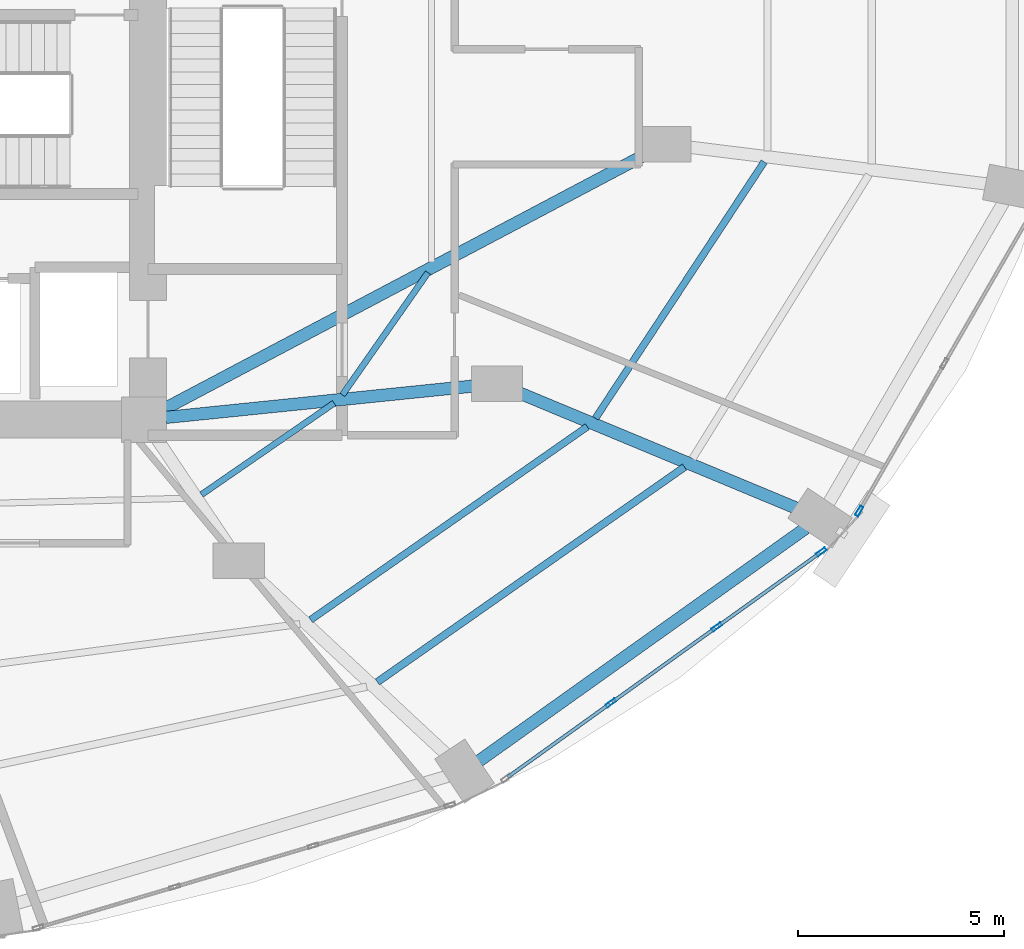
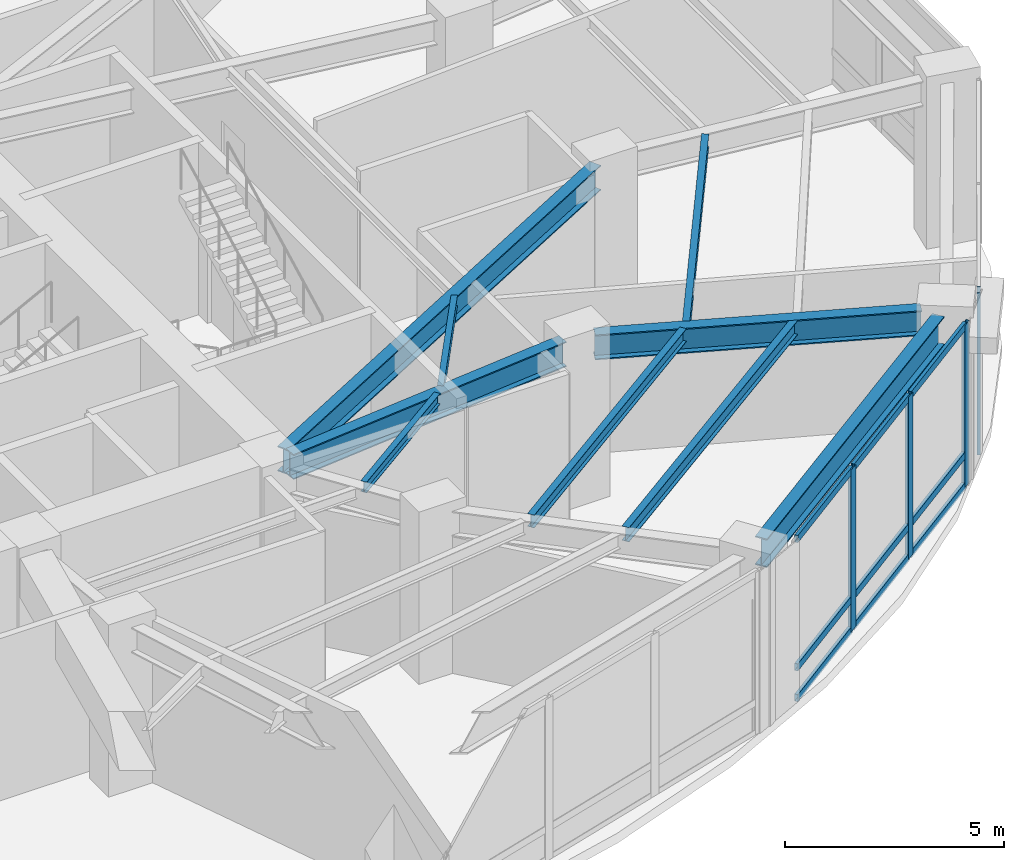
# One storey, part 11 of 24: 13 members, 9 beams, 2 elements without a shape of their own.
"""IFC4 building model written with IfcOpenShell, lengths in metres."""

from ifc_helpers import new_model, si_unit, direction, frame, origin, origin_2d, place, context, subcontext, project, spatial, hollow_rectangle, i_section, extrude, material, layer, layer_set, material_profile, profile_set, type_object, element, aggregate, save


model = new_model("IFC4")

# Units and contexts
model_context = context("Model", 3, precision=1e-05, world=origin(), true_north=direction((0.0, 1.0)))
body_context = subcontext(model_context, "Body", "Model", "MODEL_VIEW")
ifc_project = project(units=[si_unit("LENGTHUNIT", "METRE"), si_unit("AREAUNIT", "SQUARE_METRE"), si_unit("VOLUMEUNIT", "CUBIC_METRE"), si_unit("PLANEANGLEUNIT", "RADIAN"), si_unit("MASSUNIT", "GRAM", prefix="KILO")], contexts=[model_context])

# Site, building, storey
site_placement = place(None, origin())
site = spatial("IfcSite", under=ifc_project, at=site_placement, CompositionType="ELEMENT")
building_placement = place(site_placement, origin())
building = spatial("IfcBuilding", under=site, at=building_placement, Name="Lazwardi Medical Tower", CompositionType="ELEMENT")
storey_placement = place(building_placement, frame((0.0, 0.0, 15.60009765625)))
storey = spatial("IfcBuildingStorey", under=building, at=storey_placement, Name="L03", CompositionType="ELEMENT", Elevation=15.60009765625)

# Beams
ifc_material_1 = material(Name="Steel S355", Category="steel")
ifc_material_profile_1 = material_profile(ifc_material_1, i_section(OverallWidth=0.300048828125, OverallDepth=0.800048828125, WebThickness=0.017578125, FlangeThickness=0.032958984375, at=origin_2d()), Name="HEB 800")
ifc_profile_set_1 = profile_set([ifc_material_profile_1], Name="Steel S355")
beam_type_1 = type_object("IfcBeamType", Name="BM-RB-P1", PredefinedType="BEAM", material=ifc_profile_set_1)
beam_1_placement = place(storey_placement, frame((53.739501953125, 12.107666015625, 4.119873046875), z_axis=(0.814437186887, 0.580251728663, 0.0), x_axis=(-0.580251728663, 0.814437186887, 0.0)))
element("IfcBeam", 1, at=beam_1_placement, inside=storey, type_object=beam_type_1, Name="Ring beam RB-01 B02 L03", PredefinedType="BEAM", context=body_context, shape_type="SweptSolid", body=[
    extrude(i_section(OverallWidth=0.300048828125, OverallDepth=0.800048828125, WebThickness=0.017578125, FlangeThickness=0.032958984375, at=origin_2d()), origin(), (0.0, 0.0, 1.0), 9.743408203125),
])
ifc_material_profile_2 = material_profile(ifc_material_1, i_section(OverallWidth=0.300048828125, OverallDepth=0.699951171875, WebThickness=0.01708984375, FlangeThickness=0.031982421875, at=origin_2d()), Name="HEB 700")
ifc_profile_set_2 = profile_set([ifc_material_profile_2], Name="Steel S355")
beam_type_2 = type_object("IfcBeamType", Name="BM-RG-P1", PredefinedType="BEAM", material=ifc_profile_set_2)
beam_2_placement = place(storey_placement, frame((61.489501953125, 18.233642578125, 4.169921875), z_axis=(-0.923279462658, 0.38412892866, 0.0), x_axis=(-0.38412892866, -0.923279462658, 0.0)))
element("IfcBeam", 2, at=beam_2_placement, inside=storey, type_object=beam_type_2, Name="Radial girder RG-01 R03A L03", PredefinedType="BEAM", context=body_context, shape_type="SweptSolid", body=[
    extrude(i_section(OverallWidth=0.300048828125, OverallDepth=0.699951171875, WebThickness=0.01708984375, FlangeThickness=0.031982421875, at=origin_2d()), origin(), (0.0, 0.0, 1.0), 7.52001953125),
])
beam_3_placement = place(storey_placement, frame((53.779052734375, 21.2353515625, 4.169921875), z_axis=(-0.994824908551, -0.101604140299, 0.0), x_axis=(0.101604140299, -0.994824908551, 0.0)))
element("IfcBeam", 3, at=beam_3_placement, inside=storey, type_object=beam_type_2, Name="Radial girder RG-01 R03B L03", PredefinedType="BEAM", context=body_context, shape_type="SweptSolid", body=[
    extrude(i_section(OverallWidth=0.300048828125, OverallDepth=0.699951171875, WebThickness=0.01708984375, FlangeThickness=0.031982421875, at=origin_2d()), origin(), (0.0, 0.0, 1.0), 7.686767578125),
])
beam_4_placement = place(storey_placement, frame((57.909423828125, 26.906982421875, 4.169921875), z_axis=(-0.884073844977, -0.467347233466, 0.0), x_axis=(0.467347233466, -0.884073844977, 0.0)))
element("IfcBeam", 4, at=beam_4_placement, inside=storey, type_object=beam_type_2, Name="Radial girder RG-01 R04B L03", PredefinedType="BEAM", context=body_context, shape_type="SweptSolid", body=[
    extrude(i_section(OverallWidth=0.300048828125, OverallDepth=0.699951171875, WebThickness=0.01708984375, FlangeThickness=0.031982421875, at=origin_2d()), origin(), (0.0, 0.0, 1.0), 13.388427734375),
])
ifc_material_profile_3 = material_profile(ifc_material_1, i_section(OverallWidth=0.179931640625, OverallDepth=0.39990234375, WebThickness=0.008544921875, FlangeThickness=0.013427734375, at=origin_2d()), Name="IPE 400")
ifc_profile_set_3 = profile_set([ifc_material_profile_3], Name="Steel S355")
beam_type_3 = type_object("IfcBeamType", Name="BM-SJ-01", PredefinedType="JOIST", material=ifc_profile_set_3)
beam_5_placement = place(storey_placement, frame((51.27099609375, 14.025634765625, 4.31982421875), z_axis=(0.819249551022, 0.573437157106, 0.0), x_axis=(-0.573437157106, 0.819249551022, 0.0)))
element("IfcBeam", 5, at=beam_5_placement, inside=storey, type_object=beam_type_3, Name="Secondary joist SJ-01 RO1 B02 L03", PredefinedType="JOIST", context=body_context, shape_type="SweptSolid", body=[
    extrude(i_section(OverallWidth=0.179931640625, OverallDepth=0.39990234375, WebThickness=0.008544921875, FlangeThickness=0.013427734375, at=origin_2d()), origin(), (0.0, 0.0, 1.0), 9.107666015625),
])
ifc_material_profile_4 = material_profile(ifc_material_1, i_section(OverallWidth=0.169921875, OverallDepth=0.360107421875, WebThickness=0.008056640625, FlangeThickness=0.0126953125, at=origin_2d()), Name="IPE 360")
ifc_profile_set_4 = profile_set([ifc_material_profile_4], Name="Steel S355")
beam_type_4 = type_object("IfcBeamType", Name="BM-SJ-02", PredefinedType="JOIST", material=ifc_profile_set_4)
beam_6_placement = place(storey_placement, frame((49.6494140625, 15.536865234375, 4.33984375), z_axis=(0.819914041095, 0.572486650688, 0.0), x_axis=(-0.572486650688, 0.819914041095, 0.0)))
element("IfcBeam", 6, at=beam_6_placement, inside=storey, type_object=beam_type_4, Name="Secondary joist SJ-02 RO2 B02 L03", PredefinedType="JOIST", context=body_context, shape_type="SweptSolid", body=[
    extrude(i_section(OverallWidth=0.169921875, OverallDepth=0.360107421875, WebThickness=0.008056640625, FlangeThickness=0.0126953125, at=origin_2d()), origin(), (0.0, 0.0, 1.0), 8.19873046875),
])
beam_7_placement = place(storey_placement, frame((56.570068359375, 20.4345703125, 4.33984375), z_axis=(0.549697059584, 0.835364077924, 0.0), x_axis=(-0.835364077924, 0.549697059584, 0.0)))
element("IfcBeam", 7, at=beam_7_placement, inside=storey, type_object=beam_type_4, Name="Secondary joist SJ-02 RO2 B03 L03", PredefinedType="JOIST", context=body_context, shape_type="SweptSolid", body=[
    extrude(i_section(OverallWidth=0.169921875, OverallDepth=0.360107421875, WebThickness=0.008056640625, FlangeThickness=0.0126953125, at=origin_2d()), origin(), (0.0, 0.0, 1.0), 7.45849609375),
])
ifc_material_profile_5 = material_profile(ifc_material_1, i_section(OverallWidth=0.14990234375, OverallDepth=0.300048828125, WebThickness=0.007080078125, FlangeThickness=0.0107421875, at=origin_2d()), Name="IPE 300")
ifc_profile_set_5 = profile_set([ifc_material_profile_5], Name="Steel S355")
beam_type_5 = type_object("IfcBeamType", Name="BM-SJ-03", PredefinedType="JOIST", material=ifc_profile_set_5)
beam_8_placement = place(storey_placement, frame((46.9970703125, 18.5791015625, 4.369873046875), z_axis=(0.823125311201, 0.567859773237, 0.0), x_axis=(-0.567859773237, 0.823125311201, 0.0)))
element("IfcBeam", 8, at=beam_8_placement, inside=storey, type_object=beam_type_5, Name="Secondary joist SJ-03 RI1 B02 L03", PredefinedType="JOIST", context=body_context, shape_type="SweptSolid", body=[
    extrude(i_section(OverallWidth=0.14990234375, OverallDepth=0.300048828125, WebThickness=0.007080078125, FlangeThickness=0.0107421875, at=origin_2d()), origin(), (0.0, 0.0, 1.0), 3.91357421875),
])
beam_9_placement = place(storey_placement, frame((50.421142578125, 21.002685546875, 4.369873046875), z_axis=(0.573439745267, 0.819247739422, 0.0), x_axis=(-0.819247739422, 0.573439745267, 0.0)))
element("IfcBeam", 9, at=beam_9_placement, inside=storey, type_object=beam_type_5, Name="Secondary joist SJ-03 RI1 B03 L03", PredefinedType="JOIST", context=body_context, shape_type="SweptSolid", body=[
    extrude(i_section(OverallWidth=0.14990234375, OverallDepth=0.300048828125, WebThickness=0.007080078125, FlangeThickness=0.0107421875, at=origin_2d()), origin(), (0.0, 0.0, 1.0), 3.625244140625),
])

# Curtain wall, members
ifc_material_2 = material(Name="Anodised bronze aluminium and solar control glazing", Category="aluminium")
ifc_layer = layer(ifc_material_2, 0.219970703125)
ifc_layer_set = layer_set([ifc_layer], Name="Anodised bronze aluminium and solar control glazing")
curtain_wall_type = type_object("IfcCurtainWallType", Name="CW-SYS-01", PredefinedType="NOTDEFINED", material=ifc_layer_set)
curtain_wall_1_placement = place(storey_placement, origin())
curtain_wall_1 = element("IfcCurtainWall", 10, at=curtain_wall_1_placement, inside=storey, type_object=curtain_wall_type, Name="L03 Unitised bronze curtain wall CW-01", PredefinedType="NOTDEFINED")
ifc_material_3 = material(Name="Anodised bronze aluminium", Category="aluminium")
ifc_material_profile_6 = material_profile(ifc_material_3, hollow_rectangle(XDim=0.0849609375, YDim=0.260009765625, WallThickness=0.0048828125, at=origin_2d()), Name="ALU-MULLION 260x85x5")
ifc_profile_set_6 = profile_set([ifc_material_profile_6], Name="Anodised bronze aluminium")
member_type_1 = type_object("IfcMemberType", Name="CW-MUL-02", PredefinedType="MULLION", material=ifc_profile_set_6)
member_1_placement = place(storey_placement, frame((56.944580078125, 13.51513671875, 0.0), z_axis=(0.0, 0.0, 1.0), x_axis=(-0.583214260584, 0.812318365083, 0.0)))
member_1 = element("IfcMember", 11, at=member_1_placement, type_object=member_type_1, Name="CW-01 mullion 2", PredefinedType="MULLION", context=body_context, shape_type="SweptSolid", body=[
    extrude(hollow_rectangle(XDim=0.0849609375, YDim=0.260009765625, WallThickness=0.0048828125, at=origin_2d()), origin(), (0.0, 0.0, 1.0), 4.52001953125),
])
member_2_placement = place(storey_placement, frame((59.517822265625, 15.36279296875, 0.0), z_axis=(0.0, 0.0, 1.0), x_axis=(-0.583214260584, 0.812318365083, 0.0)))
member_2 = element("IfcMember", 12, at=member_2_placement, type_object=member_type_1, Name="CW-01 mullion 3", PredefinedType="MULLION", context=body_context, shape_type="SweptSolid", body=[
    extrude(hollow_rectangle(XDim=0.0849609375, YDim=0.260009765625, WallThickness=0.0048828125, at=origin_2d()), origin(), (0.0, 0.0, 1.0), 4.52001953125),
])
member_3_placement = place(storey_placement, frame((62.056640625, 17.185546875, 0.0), z_axis=(0.0, 0.0, 1.0), x_axis=(-0.583214260584, 0.812318365083, 0.0)))
member_3 = element("IfcMember", 13, at=member_3_placement, type_object=member_type_1, Name="CW-01 mullion 4", PredefinedType="MULLION", context=body_context, shape_type="SweptSolid", body=[
    extrude(hollow_rectangle(XDim=0.0849609375, YDim=0.260009765625, WallThickness=0.0048828125, at=origin_2d()), origin(), (0.0, 0.0, 1.0), 4.52001953125),
])

# Curtain wall, member
curtain_wall_2_placement = place(storey_placement, origin())
curtain_wall_2 = element("IfcCurtainWall", 14, at=curtain_wall_2_placement, inside=storey, type_object=curtain_wall_type, Name="L03 Unitised bronze curtain wall CW-01", PredefinedType="NOTDEFINED")
member_4_placement = place(storey_placement, frame((62.978759765625, 18.177978515625, 0.0), z_axis=(0.0, 0.0, 1.0), x_axis=(-0.866180607783, 0.499731082384, 0.0)))
member_4 = element("IfcMember", 15, at=member_4_placement, type_object=member_type_1, Name="CW-01 mullion 1", PredefinedType="MULLION", context=body_context, shape_type="SweptSolid", body=[
    extrude(hollow_rectangle(XDim=0.0849609375, YDim=0.260009765625, WallThickness=0.0048828125, at=origin_2d()), origin(), (0.0, 0.0, 1.0), 4.52001953125),
])
aggregate(curtain_wall_2, [member_4])

# Member
ifc_material_profile_7 = material_profile(ifc_material_3, hollow_rectangle(XDim=0.0849609375, YDim=0.199951171875, WallThickness=0.00439453125, at=origin_2d()), Name="ALU-TRANSOM 200x85x4.5")
ifc_profile_set_7 = profile_set([ifc_material_profile_7], Name="Anodised bronze aluminium")
member_type_2 = type_object("IfcMemberType", Name="CW-TRN-02", PredefinedType="USERDEFINED", material=ifc_profile_set_7)
member_5_placement = place(storey_placement, frame((54.440185546875, 11.71728515625, 0.04248046875), z_axis=(0.812314954496, 0.583219010924, 0.0), x_axis=(-0.583219010924, 0.812314954496, 0.0)))
member_5 = element("IfcMember", 16, at=member_5_placement, type_object=member_type_2, Name="CW-01 transom 1.1", ObjectType="TRANSOM", PredefinedType="USERDEFINED", context=body_context, shape_type="SweptSolid", body=[
    extrude(hollow_rectangle(XDim=0.0849609375, YDim=0.199951171875, WallThickness=0.00439453125, at=origin_2d()), origin(), (0.0, 0.0, 1.0), 3.040283203125),
])

member_6_placement = place(storey_placement, frame((54.440185546875, 11.71728515625, 0.89990234375), z_axis=(0.812314954496, 0.583219010924, 0.0), x_axis=(-0.583219010924, 0.812314954496, 0.0)))
member_6 = element("IfcMember", 17, at=member_6_placement, type_object=member_type_2, Name="CW-01 transom 1.2", ObjectType="TRANSOM", PredefinedType="USERDEFINED", context=body_context, shape_type="SweptSolid", body=[
    extrude(hollow_rectangle(XDim=0.0849609375, YDim=0.199951171875, WallThickness=0.00439453125, at=origin_2d()), origin(), (0.0, 0.0, 1.0), 3.040283203125),
])

member_7_placement = place(storey_placement, frame((54.440185546875, 11.71728515625, 4.477294921875), z_axis=(0.812314954496, 0.583219010924, 0.0), x_axis=(-0.583219010924, 0.812314954496, 0.0)))
member_7 = element("IfcMember", 18, at=member_7_placement, type_object=member_type_2, Name="CW-01 transom 1.3", ObjectType="TRANSOM", PredefinedType="USERDEFINED", context=body_context, shape_type="SweptSolid", body=[
    extrude(hollow_rectangle(XDim=0.0849609375, YDim=0.199951171875, WallThickness=0.00439453125, at=origin_2d()), origin(), (0.0, 0.0, 1.0), 3.040283203125),
])

member_8_placement = place(storey_placement, frame((56.97900390625, 13.5400390625, 0.04248046875), z_axis=(0.812350668283, 0.583169265085, 0.0), x_axis=(-0.583169265085, 0.812350668283, 0.0)))
member_8 = element("IfcMember", 19, at=member_8_placement, type_object=member_type_2, Name="CW-01 transom 2.1", ObjectType="TRANSOM", PredefinedType="USERDEFINED", context=body_context, shape_type="SweptSolid", body=[
    extrude(hollow_rectangle(XDim=0.0849609375, YDim=0.199951171875, WallThickness=0.00439453125, at=origin_2d()), origin(), (0.0, 0.0, 1.0), 3.0830078125),
])

member_9_placement = place(storey_placement, frame((56.97900390625, 13.5400390625, 0.89990234375), z_axis=(0.812350668283, 0.583169265085, 0.0), x_axis=(-0.583169265085, 0.812350668283, 0.0)))
member_9 = element("IfcMember", 20, at=member_9_placement, type_object=member_type_2, Name="CW-01 transom 2.2", ObjectType="TRANSOM", PredefinedType="USERDEFINED", context=body_context, shape_type="SweptSolid", body=[
    extrude(hollow_rectangle(XDim=0.0849609375, YDim=0.199951171875, WallThickness=0.00439453125, at=origin_2d()), origin(), (0.0, 0.0, 1.0), 3.0830078125),
])

member_10_placement = place(storey_placement, frame((56.97900390625, 13.5400390625, 4.477294921875), z_axis=(0.812350668283, 0.583169265085, 0.0), x_axis=(-0.583169265085, 0.812350668283, 0.0)))
member_10 = element("IfcMember", 21, at=member_10_placement, type_object=member_type_2, Name="CW-01 transom 2.3", ObjectType="TRANSOM", PredefinedType="USERDEFINED", context=body_context, shape_type="SweptSolid", body=[
    extrude(hollow_rectangle(XDim=0.0849609375, YDim=0.199951171875, WallThickness=0.00439453125, at=origin_2d()), origin(), (0.0, 0.0, 1.0), 3.0830078125),
])

member_11_placement = place(storey_placement, frame((59.55224609375, 15.387451171875, 0.04248046875), z_axis=(0.812314954496, 0.583219010924, 0.0), x_axis=(-0.583219010924, 0.812314954496, 0.0)))
member_11 = element("IfcMember", 22, at=member_11_placement, type_object=member_type_2, Name="CW-01 transom 3.1", ObjectType="TRANSOM", PredefinedType="USERDEFINED", context=body_context, shape_type="SweptSolid", body=[
    extrude(hollow_rectangle(XDim=0.0849609375, YDim=0.199951171875, WallThickness=0.00439453125, at=origin_2d()), origin(), (0.0, 0.0, 1.0), 3.040283203125),
])

member_12_placement = place(storey_placement, frame((59.55224609375, 15.387451171875, 0.89990234375), z_axis=(0.812314954496, 0.583219010924, 0.0), x_axis=(-0.583219010924, 0.812314954496, 0.0)))
member_12 = element("IfcMember", 23, at=member_12_placement, type_object=member_type_2, Name="CW-01 transom 3.2", ObjectType="TRANSOM", PredefinedType="USERDEFINED", context=body_context, shape_type="SweptSolid", body=[
    extrude(hollow_rectangle(XDim=0.0849609375, YDim=0.199951171875, WallThickness=0.00439453125, at=origin_2d()), origin(), (0.0, 0.0, 1.0), 3.040283203125),
])

member_13_placement = place(storey_placement, frame((59.55224609375, 15.387451171875, 4.477294921875), z_axis=(0.812314954496, 0.583219010924, 0.0), x_axis=(-0.583219010924, 0.812314954496, 0.0)))
member_13 = element("IfcMember", 24, at=member_13_placement, type_object=member_type_2, Name="CW-01 transom 3.3", ObjectType="TRANSOM", PredefinedType="USERDEFINED", context=body_context, shape_type="SweptSolid", body=[
    extrude(hollow_rectangle(XDim=0.0849609375, YDim=0.199951171875, WallThickness=0.00439453125, at=origin_2d()), origin(), (0.0, 0.0, 1.0), 3.040283203125),
])

aggregate(curtain_wall_1, [member_1, member_2, member_3, member_5, member_6, member_7, member_8, member_9, member_10, member_11, member_12, member_13])

save(model, "model.ifc")
